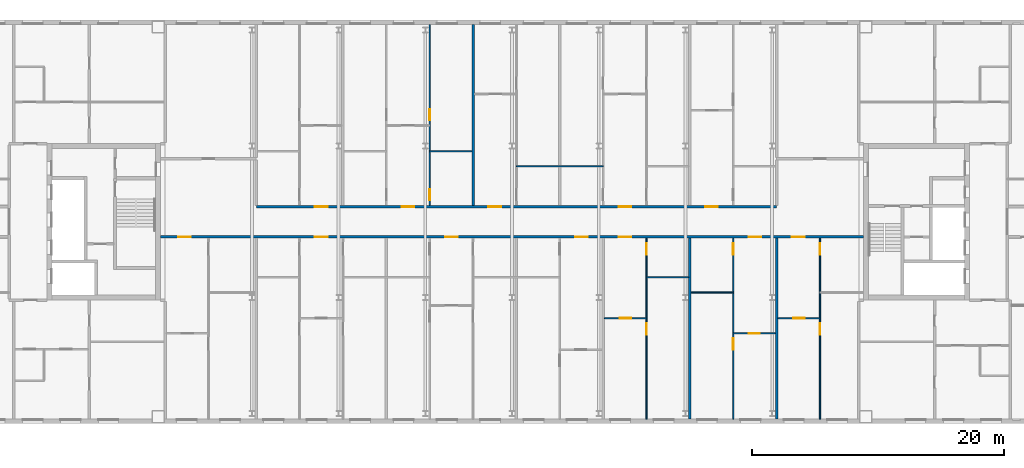
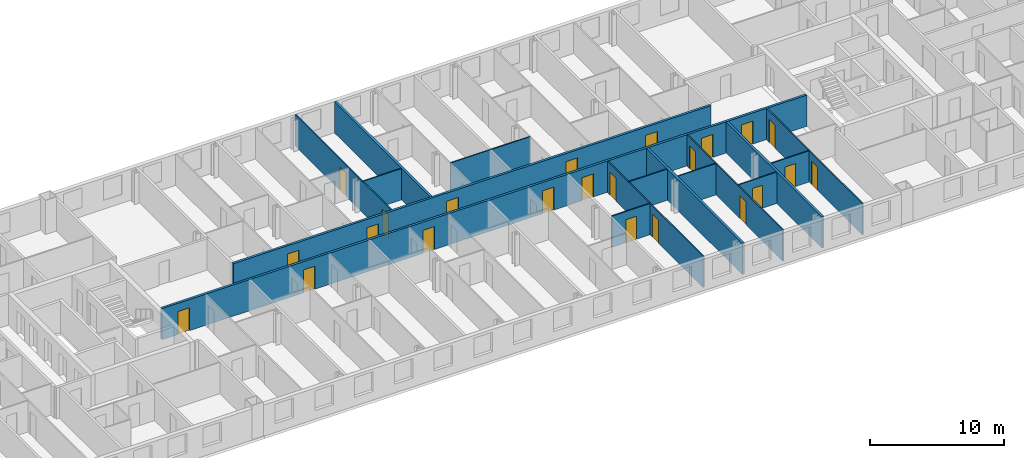
# One storey, part 11 of 19: 23 doors, 16 walls, 23 openings.
"""IFC4 building model written with IfcOpenShell, lengths in metres."""

from ifc_helpers import new_model, si_unit, direction, frame, frame_2d, origin, place, context, subcontext, project, spatial, rectangle, extrude, material, layer, layer_set, type_object, element, fill, save


model = new_model("IFC4")

# Units and contexts
model_context = context("Model", 3, precision=1e-05, world=origin(), true_north=direction((0.0, 1.0)))
body_context = subcontext(model_context, "Body", "Model", "MODEL_VIEW")
ifc_project = project(units=[si_unit("LENGTHUNIT", "METRE"), si_unit("AREAUNIT", "SQUARE_METRE"), si_unit("VOLUMEUNIT", "CUBIC_METRE"), si_unit("PLANEANGLEUNIT", "RADIAN"), si_unit("MASSUNIT", "GRAM", prefix="KILO")], contexts=[model_context])

# Site, building, storey
site_placement = place(None, origin())
site = spatial("IfcSite", under=ifc_project, at=site_placement, CompositionType="ELEMENT")
building_placement = place(site_placement, origin())
building = spatial("IfcBuilding", under=site, at=building_placement, Name="Tuart Gate Housing", CompositionType="ELEMENT")
storey_placement = place(building_placement, frame((0.0, 0.0, 224.5)))
storey = spatial("IfcBuildingStorey", under=building, at=storey_placement, Name="L63", CompositionType="ELEMENT", Elevation=224.5)

# Wall, openings, doors
ifc_material_1 = material(Name="Concrete masonry 15 MPa", Category="masonry")
ifc_layer_1 = layer(ifc_material_1, 0.199951171875)
ifc_layer_set_1 = layer_set([ifc_layer_1], Name="Corridor wall masonry 200")
wall_type_1 = type_object("IfcWallType", Name="Corridor wall masonry 200", PredefinedType="PARTITIONING", material=ifc_layer_set_1)
wall_1_placement = place(storey_placement, frame((75.639892578125, 68.800048828125, 0.0), z_axis=(0.0, 0.0, 1.0), x_axis=(1.0, 0.0, 0.0)))
wall_1 = element("IfcWall", 1, at=wall_1_placement, inside=storey, type_object=wall_type_1, Name="Corridor wall masonry 200", PredefinedType="PARTITIONING", context=body_context, shape_type="SweptSolid", body=[
    extrude(rectangle(XDim=55.72021484375, YDim=0.199951171875, at=frame_2d((27.860107421875, 0.0))), origin(), (0.0, 0.0, 1.0), 2.85009765625),
])
opening_1_placement = place(wall_1_placement, frame((1.39892578125, 0.0, 0.0)))
opening_1 = element("IfcOpeningElement", 2, at=opening_1_placement, cuts=wall_1, Name="Opening D2359", PredefinedType="OPENING", context=body_context, shape_type="SweptSolid", body=[
    extrude(rectangle(XDim=1.0, YDim=2.10009765625, at=frame_2d((0.5, 1.050048828125))), frame((0.0, 0.10986328125, 0.0), z_axis=(0.0, -1.0, 0.0), x_axis=(1.0, 0.0, 0.0)), (0.0, 0.0, 1.0), 0.219970703125),
])
opening_2_placement = place(wall_1_placement, frame((12.240966796875, 0.0, 0.0)))
opening_2 = element("IfcOpeningElement", 3, at=opening_2_placement, cuts=wall_1, Name="Opening D2360", PredefinedType="OPENING", context=body_context, shape_type="SweptSolid", body=[
    extrude(rectangle(XDim=1.0, YDim=2.10009765625, at=frame_2d((0.5, 1.050048828125))), frame((0.0, 0.10986328125, 0.0), z_axis=(0.0, -1.0, 0.0), x_axis=(1.0, 0.0, 0.0)), (0.0, 0.0, 1.0), 0.219970703125),
])
opening_3_placement = place(wall_1_placement, frame((22.553466796875, 0.0, 0.0)))
opening_3 = element("IfcOpeningElement", 4, at=opening_3_placement, cuts=wall_1, Name="Opening D2361", PredefinedType="OPENING", context=body_context, shape_type="SweptSolid", body=[
    extrude(rectangle(XDim=1.0, YDim=2.10009765625, at=frame_2d((0.5, 1.050048828125))), frame((0.0, 0.10986328125, 0.0), z_axis=(0.0, -1.0, 0.0), x_axis=(1.0, 0.0, 0.0)), (0.0, 0.0, 1.0), 0.219970703125),
])
opening_4_placement = place(wall_1_placement, frame((32.865966796875, 0.0, 0.0)))
opening_4 = element("IfcOpeningElement", 5, at=opening_4_placement, cuts=wall_1, Name="Opening D2362", PredefinedType="OPENING", context=body_context, shape_type="SweptSolid", body=[
    extrude(rectangle(XDim=1.0, YDim=2.10009765625, at=frame_2d((0.5, 1.050048828125))), frame((0.0, 0.10986328125, 0.0), z_axis=(0.0, -1.0, 0.0), x_axis=(1.0, 0.0, 0.0)), (0.0, 0.0, 1.0), 0.219970703125),
])
opening_5_placement = place(wall_1_placement, frame((36.303466796875, 0.0, 0.0)))
opening_5 = element("IfcOpeningElement", 6, at=opening_5_placement, cuts=wall_1, Name="Opening D2363", PredefinedType="OPENING", context=body_context, shape_type="SweptSolid", body=[
    extrude(rectangle(XDim=1.0, YDim=2.10009765625, at=frame_2d((0.5, 1.050048828125))), frame((0.0, 0.10986328125, 0.0), z_axis=(0.0, -1.0, 0.0), x_axis=(1.0, 0.0, 0.0)), (0.0, 0.0, 1.0), 0.219970703125),
])
opening_6_placement = place(wall_1_placement, frame((46.615966796875, 0.0, 0.0)))
opening_6 = element("IfcOpeningElement", 7, at=opening_6_placement, cuts=wall_1, Name="Opening D2364", PredefinedType="OPENING", context=body_context, shape_type="SweptSolid", body=[
    extrude(rectangle(XDim=1.0, YDim=2.10009765625, at=frame_2d((0.5, 1.050048828125))), frame((0.0, 0.10986328125, 0.0), z_axis=(0.0, -1.0, 0.0), x_axis=(1.0, 0.0, 0.0)), (0.0, 0.0, 1.0), 0.219970703125),
])
opening_7_placement = place(wall_1_placement, frame((50.053466796875, 0.0, 0.0)))
opening_7 = element("IfcOpeningElement", 8, at=opening_7_placement, cuts=wall_1, Name="Opening D2365", PredefinedType="OPENING", context=body_context, shape_type="SweptSolid", body=[
    extrude(rectangle(XDim=1.0, YDim=2.10009765625, at=frame_2d((0.5, 1.050048828125))), frame((0.0, 0.10986328125, 0.0), z_axis=(0.0, -1.0, 0.0), x_axis=(1.0, 0.0, 0.0)), (0.0, 0.0, 1.0), 0.219970703125),
])
ifc_material_2 = material(Name="Timber door leaf in steel frame", Category="steel")
door_type_1 = type_object("IfcDoorType", Name="Flat entrance door 1000 RH", OperationType="SINGLE_SWING_RIGHT", PredefinedType="DOOR", material=ifc_material_2)
door_1_placement = place(opening_1_placement, frame((1.0, 0.0, 0.0), z_axis=(0.0, 0.0, 1.0), x_axis=(-1.0, 0.0, 0.0)))
door_1 = element("IfcDoor", 9, at=door_1_placement, inside=storey, type_object=door_type_1, Name="Flat entrance door", OperationType="SINGLE_SWING_RIGHT", OverallHeight=2.10009765625, OverallWidth=1.0, PredefinedType="DOOR", context=body_context, shape_type="SweptSolid", body=[
    extrude(rectangle(XDim=1.0, YDim=2.10009765625, at=frame_2d((0.5, 1.050048828125))), frame((0.0, 0.025146484375, 0.0), z_axis=(0.0, -1.0, 0.0), x_axis=(1.0, 0.0, 0.0)), (0.0, 0.0, 1.0), 0.050048828125),
])
fill(opening_1, door_1)
door_2_placement = place(opening_2_placement, frame((1.0, 0.0, 0.0), z_axis=(0.0, 0.0, 1.0), x_axis=(-1.0, 0.0, 0.0)))
door_2 = element("IfcDoor", 10, at=door_2_placement, inside=storey, type_object=door_type_1, Name="Flat entrance door", OperationType="SINGLE_SWING_RIGHT", OverallHeight=2.10009765625, OverallWidth=1.0, PredefinedType="DOOR", context=body_context, shape_type="SweptSolid", body=[
    extrude(rectangle(XDim=1.0, YDim=2.10009765625, at=frame_2d((0.5, 1.050048828125))), frame((0.0, 0.025146484375, 0.0), z_axis=(0.0, -1.0, 0.0), x_axis=(1.0, 0.0, 0.0)), (0.0, 0.0, 1.0), 0.050048828125),
])
fill(opening_2, door_2)
door_3_placement = place(opening_3_placement, frame((1.0, 0.0, 0.0), z_axis=(0.0, 0.0, 1.0), x_axis=(-1.0, 0.0, 0.0)))
door_3 = element("IfcDoor", 11, at=door_3_placement, inside=storey, type_object=door_type_1, Name="Flat entrance door", OperationType="SINGLE_SWING_RIGHT", OverallHeight=2.10009765625, OverallWidth=1.0, PredefinedType="DOOR", context=body_context, shape_type="SweptSolid", body=[
    extrude(rectangle(XDim=1.0, YDim=2.10009765625, at=frame_2d((0.5, 1.050048828125))), frame((0.0, 0.025146484375, 0.0), z_axis=(0.0, -1.0, 0.0), x_axis=(1.0, 0.0, 0.0)), (0.0, 0.0, 1.0), 0.050048828125),
])
fill(opening_3, door_3)
door_4_placement = place(opening_4_placement, frame((1.0, 0.0, 0.0), z_axis=(0.0, 0.0, 1.0), x_axis=(-1.0, 0.0, 0.0)))
door_4 = element("IfcDoor", 12, at=door_4_placement, inside=storey, type_object=door_type_1, Name="Flat entrance door", OperationType="SINGLE_SWING_RIGHT", OverallHeight=2.10009765625, OverallWidth=1.0, PredefinedType="DOOR", context=body_context, shape_type="SweptSolid", body=[
    extrude(rectangle(XDim=1.0, YDim=2.10009765625, at=frame_2d((0.5, 1.050048828125))), frame((0.0, 0.025146484375, 0.0), z_axis=(0.0, -1.0, 0.0), x_axis=(1.0, 0.0, 0.0)), (0.0, 0.0, 1.0), 0.050048828125),
])
fill(opening_4, door_4)
door_5_placement = place(opening_5_placement, frame((1.0, 0.0, 0.0), z_axis=(0.0, 0.0, 1.0), x_axis=(-1.0, 0.0, 0.0)))
door_5 = element("IfcDoor", 13, at=door_5_placement, inside=storey, type_object=door_type_1, Name="Flat entrance door", OperationType="SINGLE_SWING_RIGHT", OverallHeight=2.10009765625, OverallWidth=1.0, PredefinedType="DOOR", context=body_context, shape_type="SweptSolid", body=[
    extrude(rectangle(XDim=1.0, YDim=2.10009765625, at=frame_2d((0.5, 1.050048828125))), frame((0.0, 0.025146484375, 0.0), z_axis=(0.0, -1.0, 0.0), x_axis=(1.0, 0.0, 0.0)), (0.0, 0.0, 1.0), 0.050048828125),
])
fill(opening_5, door_5)
door_6_placement = place(opening_6_placement, frame((1.0, 0.0, 0.0), z_axis=(0.0, 0.0, 1.0), x_axis=(-1.0, 0.0, 0.0)))
door_6 = element("IfcDoor", 14, at=door_6_placement, inside=storey, type_object=door_type_1, Name="Flat entrance door", OperationType="SINGLE_SWING_RIGHT", OverallHeight=2.10009765625, OverallWidth=1.0, PredefinedType="DOOR", context=body_context, shape_type="SweptSolid", body=[
    extrude(rectangle(XDim=1.0, YDim=2.10009765625, at=frame_2d((0.5, 1.050048828125))), frame((0.0, 0.025146484375, 0.0), z_axis=(0.0, -1.0, 0.0), x_axis=(1.0, 0.0, 0.0)), (0.0, 0.0, 1.0), 0.050048828125),
])
fill(opening_6, door_6)
door_7_placement = place(opening_7_placement, frame((1.0, 0.0, 0.0), z_axis=(0.0, 0.0, 1.0), x_axis=(-1.0, 0.0, 0.0)))
door_7 = element("IfcDoor", 15, at=door_7_placement, inside=storey, type_object=door_type_1, Name="Flat entrance door", OperationType="SINGLE_SWING_RIGHT", OverallHeight=2.10009765625, OverallWidth=1.0, PredefinedType="DOOR", context=body_context, shape_type="SweptSolid", body=[
    extrude(rectangle(XDim=1.0, YDim=2.10009765625, at=frame_2d((0.5, 1.050048828125))), frame((0.0, 0.025146484375, 0.0), z_axis=(0.0, -1.0, 0.0), x_axis=(1.0, 0.0, 0.0)), (0.0, 0.0, 1.0), 0.050048828125),
])
fill(opening_7, door_7)

wall_2_placement = place(storey_placement, frame((83.22509765625, 71.199951171875, 0.0), z_axis=(0.0, 0.0, 1.0), x_axis=(1.0, 0.0, 0.0)))
wall_2 = element("IfcWall", 16, at=wall_2_placement, inside=storey, type_object=wall_type_1, Name="Corridor wall masonry 200", PredefinedType="PARTITIONING", context=body_context, shape_type="SweptSolid", body=[
    extrude(rectangle(XDim=41.25, YDim=0.199951171875, at=frame_2d((20.625, 0.0))), origin(), (0.0, 0.0, 1.0), 2.85009765625),
])
opening_8_placement = place(wall_2_placement, frame((4.656005859375, 0.0, 0.0)))
opening_8 = element("IfcOpeningElement", 17, at=opening_8_placement, cuts=wall_2, Name="Opening D2354", PredefinedType="OPENING", context=body_context, shape_type="SweptSolid", body=[
    extrude(rectangle(XDim=1.0, YDim=2.10009765625, at=frame_2d((0.5, 1.050048828125))), frame((0.0, 0.10986328125, 0.0), z_axis=(0.0, -1.0, 0.0), x_axis=(1.0, 0.0, 0.0)), (0.0, 0.0, 1.0), 0.219970703125),
])
opening_9_placement = place(wall_2_placement, frame((11.531005859375, 0.0, 0.0)))
opening_9 = element("IfcOpeningElement", 18, at=opening_9_placement, cuts=wall_2, Name="Opening D2355", PredefinedType="OPENING", context=body_context, shape_type="SweptSolid", body=[
    extrude(rectangle(XDim=1.0, YDim=2.10009765625, at=frame_2d((0.5, 1.050048828125))), frame((0.0, 0.10986328125, 0.0), z_axis=(0.0, -1.0, 0.0), x_axis=(1.0, 0.0, 0.0)), (0.0, 0.0, 1.0), 0.219970703125),
])
opening_10_placement = place(wall_2_placement, frame((18.406005859375, 0.0, 0.0)))
opening_10 = element("IfcOpeningElement", 19, at=opening_10_placement, cuts=wall_2, Name="Opening D2356", PredefinedType="OPENING", context=body_context, shape_type="SweptSolid", body=[
    extrude(rectangle(XDim=1.0, YDim=2.10009765625, at=frame_2d((0.5, 1.050048828125))), frame((0.0, 0.10986328125, 0.0), z_axis=(0.0, -1.0, 0.0), x_axis=(1.0, 0.0, 0.0)), (0.0, 0.0, 1.0), 0.219970703125),
])
opening_11_placement = place(wall_2_placement, frame((28.718505859375, 0.0, 0.0)))
opening_11 = element("IfcOpeningElement", 20, at=opening_11_placement, cuts=wall_2, Name="Opening D2357", PredefinedType="OPENING", context=body_context, shape_type="SweptSolid", body=[
    extrude(rectangle(XDim=1.0, YDim=2.10009765625, at=frame_2d((0.5, 1.050048828125))), frame((0.0, 0.10986328125, 0.0), z_axis=(0.0, -1.0, 0.0), x_axis=(1.0, 0.0, 0.0)), (0.0, 0.0, 1.0), 0.219970703125),
])
opening_12_placement = place(wall_2_placement, frame((35.593505859375, 0.0, 0.0)))
opening_12 = element("IfcOpeningElement", 21, at=opening_12_placement, cuts=wall_2, Name="Opening D2358", PredefinedType="OPENING", context=body_context, shape_type="SweptSolid", body=[
    extrude(rectangle(XDim=1.0, YDim=2.10009765625, at=frame_2d((0.5, 1.050048828125))), frame((0.0, 0.10986328125, 0.0), z_axis=(0.0, -1.0, 0.0), x_axis=(1.0, 0.0, 0.0)), (0.0, 0.0, 1.0), 0.219970703125),
])
ifc_material_3 = material(Name="Timber door leaf in steel frame", Category="steel")
door_type_2 = type_object("IfcDoorType", Name="Flat entrance door 1000", OperationType="SINGLE_SWING_LEFT", PredefinedType="DOOR", material=ifc_material_3)
door_8_placement = place(opening_8_placement, origin())
door_8 = element("IfcDoor", 22, at=door_8_placement, inside=storey, type_object=door_type_2, Name="Flat entrance door", OperationType="SINGLE_SWING_LEFT", OverallHeight=2.10009765625, OverallWidth=1.0, PredefinedType="DOOR", context=body_context, shape_type="SweptSolid", body=[
    extrude(rectangle(XDim=1.0, YDim=2.10009765625, at=frame_2d((0.5, 1.050048828125))), frame((0.0, 0.02490234375, 0.0), z_axis=(0.0, -1.0, 0.0), x_axis=(1.0, 0.0, 0.0)), (0.0, 0.0, 1.0), 0.050048828125),
])
fill(opening_8, door_8)
door_9_placement = place(opening_9_placement, origin())
door_9 = element("IfcDoor", 23, at=door_9_placement, inside=storey, type_object=door_type_2, Name="Flat entrance door", OperationType="SINGLE_SWING_LEFT", OverallHeight=2.10009765625, OverallWidth=1.0, PredefinedType="DOOR", context=body_context, shape_type="SweptSolid", body=[
    extrude(rectangle(XDim=1.0, YDim=2.10009765625, at=frame_2d((0.5, 1.050048828125))), frame((0.0, 0.02490234375, 0.0), z_axis=(0.0, -1.0, 0.0), x_axis=(1.0, 0.0, 0.0)), (0.0, 0.0, 1.0), 0.050048828125),
])
fill(opening_9, door_9)
door_10_placement = place(opening_10_placement, origin())
door_10 = element("IfcDoor", 24, at=door_10_placement, inside=storey, type_object=door_type_2, Name="Flat entrance door", OperationType="SINGLE_SWING_LEFT", OverallHeight=2.10009765625, OverallWidth=1.0, PredefinedType="DOOR", context=body_context, shape_type="SweptSolid", body=[
    extrude(rectangle(XDim=1.0, YDim=2.10009765625, at=frame_2d((0.5, 1.050048828125))), frame((0.0, 0.02490234375, 0.0), z_axis=(0.0, -1.0, 0.0), x_axis=(1.0, 0.0, 0.0)), (0.0, 0.0, 1.0), 0.050048828125),
])
fill(opening_10, door_10)
door_11_placement = place(opening_11_placement, origin())
door_11 = element("IfcDoor", 25, at=door_11_placement, inside=storey, type_object=door_type_2, Name="Flat entrance door", OperationType="SINGLE_SWING_LEFT", OverallHeight=2.10009765625, OverallWidth=1.0, PredefinedType="DOOR", context=body_context, shape_type="SweptSolid", body=[
    extrude(rectangle(XDim=1.0, YDim=2.10009765625, at=frame_2d((0.5, 1.050048828125))), frame((0.0, 0.02490234375, 0.0), z_axis=(0.0, -1.0, 0.0), x_axis=(1.0, 0.0, 0.0)), (0.0, 0.0, 1.0), 0.050048828125),
])
fill(opening_11, door_11)
door_12_placement = place(opening_12_placement, origin())
door_12 = element("IfcDoor", 26, at=door_12_placement, inside=storey, type_object=door_type_2, Name="Flat entrance door", OperationType="SINGLE_SWING_LEFT", OverallHeight=2.10009765625, OverallWidth=1.0, PredefinedType="DOOR", context=body_context, shape_type="SweptSolid", body=[
    extrude(rectangle(XDim=1.0, YDim=2.10009765625, at=frame_2d((0.5, 1.050048828125))), frame((0.0, 0.02490234375, 0.0), z_axis=(0.0, -1.0, 0.0), x_axis=(1.0, 0.0, 0.0)), (0.0, 0.0, 1.0), 0.050048828125),
])
fill(opening_12, door_12)

# Wall, opening, door
ifc_material_4 = material(Name="Gypsum board on steel studs", Category="steel")
ifc_layer_2 = layer(ifc_material_4, 0.10009765625)
ifc_layer_set_2 = layer_set([ifc_layer_2], Name="Partition 100")
wall_type_2 = type_object("IfcWallType", Name="Partition 100", PredefinedType="PARTITIONING", material=ifc_layer_set_2)
wall_3_placement = place(storey_placement, frame((121.037109375, 61.159912109375, 0.0), z_axis=(0.0, 0.0, 1.0), x_axis=(1.0, 0.0, 0.0)))
wall_3 = element("IfcWall", 27, at=wall_3_placement, inside=storey, type_object=wall_type_2, Name="Partition 100", PredefinedType="PARTITIONING", context=body_context, shape_type="SweptSolid", body=[
    extrude(rectangle(XDim=3.337890625, YDim=0.10009765625, at=frame_2d((1.6689453125, 0.0))), origin(), (0.0, 0.0, 1.0), 2.85009765625),
])
opening_13_placement = place(wall_3_placement, frame((1.218994140625, 0.0, 0.0)))
opening_13 = element("IfcOpeningElement", 28, at=opening_13_placement, cuts=wall_3, Name="Opening D2389", PredefinedType="OPENING", context=body_context, shape_type="SweptSolid", body=[
    extrude(rectangle(XDim=0.89990234375, YDim=2.10009765625, at=frame_2d((0.449951171875, 1.050048828125))), frame((0.0, 0.06005859375, 0.0), z_axis=(0.0, -1.0, 0.0), x_axis=(1.0, 0.0, 0.0)), (0.0, 0.0, 1.0), 0.1201171875),
])
ifc_material_5 = material(Name="Timber door leaf in steel frame", Category="steel")
door_type_3 = type_object("IfcDoorType", Name="Internal door 900", OperationType="SINGLE_SWING_LEFT", PredefinedType="DOOR", material=ifc_material_5)
door_13_placement = place(opening_13_placement, origin())
door_13 = element("IfcDoor", 29, at=door_13_placement, inside=storey, type_object=door_type_3, Name="Internal door", OperationType="SINGLE_SWING_LEFT", OverallHeight=2.10009765625, OverallWidth=0.89990234375, PredefinedType="DOOR", context=body_context, shape_type="SweptSolid", body=[
    extrude(rectangle(XDim=0.89990234375, YDim=2.10009765625, at=frame_2d((0.449951171875, 1.050048828125))), frame((0.0, 0.02490234375, 0.0), z_axis=(0.0, -1.0, 0.0), x_axis=(1.0, 0.0, 0.0)), (0.0, 0.0, 1.0), 0.050048828125),
])
fill(opening_13, door_13)

wall_4_placement = place(storey_placement, frame((110.824951171875, 62.360107421875, 0.0), z_axis=(0.0, 0.0, 1.0), x_axis=(1.0, 0.0, 0.0)))
wall_4 = element("IfcWall", 30, at=wall_4_placement, inside=storey, type_object=wall_type_2, Name="Partition 100", PredefinedType="PARTITIONING", context=body_context, shape_type="SweptSolid", body=[
    extrude(rectangle(XDim=3.337158203125, YDim=0.10009765625, at=frame_2d((1.66845703125, 0.0))), origin(), (0.0, 0.0, 1.0), 2.85009765625),
])
opening_14_placement = place(wall_4_placement, frame((1.218505859375, 0.0, 0.0)))
opening_14 = element("IfcOpeningElement", 31, at=opening_14_placement, cuts=wall_4, Name="Opening D2368", PredefinedType="OPENING", context=body_context, shape_type="SweptSolid", body=[
    extrude(rectangle(XDim=0.89990234375, YDim=2.10009765625, at=frame_2d((0.449951171875, 1.050048828125))), frame((0.0, 0.06005859375, 0.0), z_axis=(0.0, -1.0, 0.0), x_axis=(1.0, 0.0, 0.0)), (0.0, 0.0, 1.0), 0.1201171875),
])
ifc_material_6 = material(Name="Timber door leaf in steel frame", Category="steel")
door_type_4 = type_object("IfcDoorType", Name="Internal door 900 RH", OperationType="SINGLE_SWING_RIGHT", PredefinedType="DOOR", material=ifc_material_6)
door_14_placement = place(opening_14_placement, origin())
door_14 = element("IfcDoor", 32, at=door_14_placement, inside=storey, type_object=door_type_4, Name="Internal door", OperationType="SINGLE_SWING_RIGHT", OverallHeight=2.10009765625, OverallWidth=0.89990234375, PredefinedType="DOOR", context=body_context, shape_type="SweptSolid", body=[
    extrude(rectangle(XDim=0.89990234375, YDim=2.10009765625, at=frame_2d((0.449951171875, 1.050048828125))), frame((0.0, 0.02490234375, 0.0), z_axis=(0.0, -1.0, 0.0), x_axis=(1.0, 0.0, 0.0)), (0.0, 0.0, 1.0), 0.050048828125),
])
fill(opening_14, door_14)

wall_5_placement = place(storey_placement, frame((124.574951171875, 62.360107421875, 0.0), z_axis=(0.0, 0.0, 1.0), x_axis=(1.0, 0.0, 0.0)))
wall_5 = element("IfcWall", 33, at=wall_5_placement, inside=storey, type_object=wall_type_2, Name="Partition 100", PredefinedType="PARTITIONING", context=body_context, shape_type="SweptSolid", body=[
    extrude(rectangle(XDim=3.337158203125, YDim=0.10009765625, at=frame_2d((1.66845703125, 0.0))), origin(), (0.0, 0.0, 1.0), 2.85009765625),
])
opening_15_placement = place(wall_5_placement, frame((1.218505859375, 0.0, 0.0)))
opening_15 = element("IfcOpeningElement", 34, at=opening_15_placement, cuts=wall_5, Name="Opening D2369", PredefinedType="OPENING", context=body_context, shape_type="SweptSolid", body=[
    extrude(rectangle(XDim=0.89990234375, YDim=2.10009765625, at=frame_2d((0.449951171875, 1.050048828125))), frame((0.0, 0.06005859375, 0.0), z_axis=(0.0, -1.0, 0.0), x_axis=(1.0, 0.0, 0.0)), (0.0, 0.0, 1.0), 0.1201171875),
])
door_15_placement = place(opening_15_placement, origin())
door_15 = element("IfcDoor", 35, at=door_15_placement, inside=storey, type_object=door_type_4, Name="Internal door", OperationType="SINGLE_SWING_RIGHT", OverallHeight=2.10009765625, OverallWidth=0.89990234375, PredefinedType="DOOR", context=body_context, shape_type="SweptSolid", body=[
    extrude(rectangle(XDim=0.89990234375, YDim=2.10009765625, at=frame_2d((0.449951171875, 1.050048828125))), frame((0.0, 0.02490234375, 0.0), z_axis=(0.0, -1.0, 0.0), x_axis=(1.0, 0.0, 0.0)), (0.0, 0.0, 1.0), 0.050048828125),
])
fill(opening_15, door_15)

# Walls
wall_6_placement = place(storey_placement, frame((117.699951171875, 64.39990234375, 0.0), z_axis=(0.0, 0.0, 1.0), x_axis=(1.0, 0.0, 0.0)))
element("IfcWall", 36, at=wall_6_placement, inside=storey, type_object=wall_type_2, Name="Partition 100", PredefinedType="PARTITIONING", context=body_context, shape_type="SweptSolid", body=[
    extrude(rectangle(XDim=3.337158203125, YDim=0.10009765625, at=frame_2d((1.66845703125, 0.0))), origin(), (0.0, 0.0, 1.0), 2.85009765625),
])
wall_7_placement = place(storey_placement, frame((114.162109375, 65.60009765625, 0.0), z_axis=(0.0, 0.0, 1.0), x_axis=(1.0, 0.0, 0.0)))
element("IfcWall", 37, at=wall_7_placement, inside=storey, type_object=wall_type_2, Name="Partition 100", PredefinedType="PARTITIONING", context=body_context, shape_type="SweptSolid", body=[
    extrude(rectangle(XDim=3.337890625, YDim=0.10009765625, at=frame_2d((1.6689453125, 0.0))), origin(), (0.0, 0.0, 1.0), 2.85009765625),
])
wall_8_placement = place(storey_placement, frame((103.85009765625, 74.39990234375, 0.0), z_axis=(0.0, 0.0, 1.0), x_axis=(1.0, 0.0, 0.0)))
element("IfcWall", 38, at=wall_8_placement, inside=storey, type_object=wall_type_2, Name="Partition 100", PredefinedType="PARTITIONING", context=body_context, shape_type="SweptSolid", body=[
    extrude(rectangle(XDim=6.875, YDim=0.10009765625, at=frame_2d((3.4375, 0.0))), origin(), (0.0, 0.0, 1.0), 2.85009765625),
])
wall_9_placement = place(storey_placement, frame((96.97509765625, 75.60009765625, 0.0), z_axis=(0.0, 0.0, 1.0), x_axis=(1.0, 0.0, 0.0)))
element("IfcWall", 39, at=wall_9_placement, inside=storey, type_object=wall_type_2, Name="Partition 100", PredefinedType="PARTITIONING", context=body_context, shape_type="SweptSolid", body=[
    extrude(rectangle(XDim=3.3369140625, YDim=0.10009765625, at=frame_2d((1.66845703125, 0.0))), origin(), (0.0, 0.0, 1.0), 2.85009765625),
])

# Wall, openings, doors
wall_10_placement = place(storey_placement, frame((96.97509765625, 71.300048828125, 0.0), z_axis=(0.0, 0.0, 1.0), x_axis=(0.0, 1.0, 0.0)))
wall_10 = element("IfcWall", 40, at=wall_10_placement, inside=storey, type_object=wall_type_2, Name="Partition 100", PredefinedType="PARTITIONING", context=body_context, shape_type="SweptSolid", body=[
    extrude(rectangle(XDim=14.33984375, YDim=0.10009765625, at=frame_2d((7.169921875, 0.0))), origin(), (0.0, 0.0, 1.0), 2.85009765625),
])
opening_16_placement = place(wall_10_placement, frame((6.739990234375, 0.0, 0.0)))
opening_16 = element("IfcOpeningElement", 41, at=opening_16_placement, cuts=wall_10, Name="Opening D2341", PredefinedType="OPENING", context=body_context, shape_type="SweptSolid", body=[
    extrude(rectangle(XDim=0.89990234375, YDim=2.10009765625, at=frame_2d((0.449951171875, 1.050048828125))), frame((0.0, 0.06005859375, 0.0), z_axis=(0.0, -1.0, 0.0), x_axis=(1.0, 0.0, 0.0)), (0.0, 0.0, 1.0), 0.1201171875),
])
opening_17_placement = place(wall_10_placement, frame((0.39990234375, 0.0, 0.0)))
opening_17 = element("IfcOpeningElement", 42, at=opening_17_placement, cuts=wall_10, Name="Opening D2340", PredefinedType="OPENING", context=body_context, shape_type="SweptSolid", body=[
    extrude(rectangle(XDim=0.89990234375, YDim=2.10009765625, at=frame_2d((0.449951171875, 1.050048828125))), frame((0.0, 0.06005859375, 0.0), z_axis=(0.0, -1.0, 0.0), x_axis=(1.0, 0.0, 0.0)), (0.0, 0.0, 1.0), 0.1201171875),
])
ifc_material_7 = material(Name="Timber door leaf in steel frame", Category="steel")
door_type_5 = type_object("IfcDoorType", Name="Bathroom door 900 RH", OperationType="SINGLE_SWING_RIGHT", PredefinedType="DOOR", material=ifc_material_7)
door_16_placement = place(opening_17_placement, frame((0.89990234375, 0.0, 0.0), z_axis=(0.0, 0.0, 1.0), x_axis=(-1.0, 0.0, 0.0)))
door_16 = element("IfcDoor", 43, at=door_16_placement, inside=storey, type_object=door_type_5, Name="Bathroom door", OperationType="SINGLE_SWING_RIGHT", OverallHeight=2.10009765625, OverallWidth=0.89990234375, PredefinedType="DOOR", context=body_context, shape_type="SweptSolid", body=[
    extrude(rectangle(XDim=0.89990234375, YDim=2.10009765625, at=frame_2d((0.449951171875, 1.050048828125))), frame((0.0, 0.025146484375, 0.0), z_axis=(0.0, -1.0, 0.0), x_axis=(1.0, 0.0, 0.0)), (0.0, 0.0, 1.0), 0.050048828125),
])
fill(opening_17, door_16)
door_17_placement = place(opening_16_placement, frame((0.89990234375, 0.0, 0.0), z_axis=(0.0, 0.0, 1.0), x_axis=(-1.0, 0.0, 0.0)))
door_17 = element("IfcDoor", 44, at=door_17_placement, inside=storey, type_object=door_type_4, Name="Internal door", OperationType="SINGLE_SWING_RIGHT", OverallHeight=2.10009765625, OverallWidth=0.89990234375, PredefinedType="DOOR", context=body_context, shape_type="SweptSolid", body=[
    extrude(rectangle(XDim=0.89990234375, YDim=2.10009765625, at=frame_2d((0.449951171875, 1.050048828125))), frame((0.0, 0.025146484375, 0.0), z_axis=(0.0, -1.0, 0.0), x_axis=(1.0, 0.0, 0.0)), (0.0, 0.0, 1.0), 0.050048828125),
])
fill(opening_16, door_17)

wall_11_placement = place(storey_placement, frame((114.162109375, 54.360107421875, 0.0), z_axis=(0.0, 0.0, 1.0), x_axis=(0.0, 1.0, 0.0)))
wall_11 = element("IfcWall", 45, at=wall_11_placement, inside=storey, type_object=wall_type_2, Name="Partition 100", PredefinedType="PARTITIONING", context=body_context, shape_type="SweptSolid", body=[
    extrude(rectangle(XDim=14.33984375, YDim=0.10009765625, at=frame_2d((7.169921875, 0.0))), origin(), (0.0, 0.0, 1.0), 2.85009765625),
])
opening_18_placement = place(wall_11_placement, frame((6.699951171875, 0.0, 0.0)))
opening_18 = element("IfcOpeningElement", 46, at=opening_18_placement, cuts=wall_11, Name="Opening D2383", PredefinedType="OPENING", context=body_context, shape_type="SweptSolid", body=[
    extrude(rectangle(XDim=0.89990234375, YDim=2.10009765625, at=frame_2d((0.449951171875, 1.050048828125))), frame((0.0, 0.06005859375, 0.0), z_axis=(0.0, -1.0, 0.0), x_axis=(1.0, 0.0, 0.0)), (0.0, 0.0, 1.0), 0.1201171875),
])
opening_19_placement = place(wall_11_placement, frame((13.0400390625, 0.0, 0.0)))
opening_19 = element("IfcOpeningElement", 47, at=opening_19_placement, cuts=wall_11, Name="Opening D2382", PredefinedType="OPENING", context=body_context, shape_type="SweptSolid", body=[
    extrude(rectangle(XDim=0.89990234375, YDim=2.10009765625, at=frame_2d((0.449951171875, 1.050048828125))), frame((0.0, 0.06005859375, 0.0), z_axis=(0.0, -1.0, 0.0), x_axis=(1.0, 0.0, 0.0)), (0.0, 0.0, 1.0), 0.1201171875),
])
ifc_material_8 = material(Name="Timber door leaf in steel frame", Category="steel")
door_type_6 = type_object("IfcDoorType", Name="Bathroom door 900", OperationType="SINGLE_SWING_LEFT", PredefinedType="DOOR", material=ifc_material_8)
door_18_placement = place(opening_19_placement, frame((0.89990234375, 0.0, 0.0), z_axis=(0.0, 0.0, 1.0), x_axis=(-1.0, 0.0, 0.0)))
door_18 = element("IfcDoor", 48, at=door_18_placement, inside=storey, type_object=door_type_6, Name="Bathroom door", OperationType="SINGLE_SWING_LEFT", OverallHeight=2.10009765625, OverallWidth=0.89990234375, PredefinedType="DOOR", context=body_context, shape_type="SweptSolid", body=[
    extrude(rectangle(XDim=0.89990234375, YDim=2.10009765625, at=frame_2d((0.449951171875, 1.050048828125))), frame((0.0, 0.025146484375, 0.0), z_axis=(0.0, -1.0, 0.0), x_axis=(1.0, 0.0, 0.0)), (0.0, 0.0, 1.0), 0.050048828125),
])
fill(opening_19, door_18)
door_19_placement = place(opening_18_placement, frame((0.89990234375, 0.0, 0.0), z_axis=(0.0, 0.0, 1.0), x_axis=(-1.0, 0.0, 0.0)))
door_19 = element("IfcDoor", 49, at=door_19_placement, inside=storey, type_object=door_type_3, Name="Internal door", OperationType="SINGLE_SWING_LEFT", OverallHeight=2.10009765625, OverallWidth=0.89990234375, PredefinedType="DOOR", context=body_context, shape_type="SweptSolid", body=[
    extrude(rectangle(XDim=0.89990234375, YDim=2.10009765625, at=frame_2d((0.449951171875, 1.050048828125))), frame((0.0, 0.025146484375, 0.0), z_axis=(0.0, -1.0, 0.0), x_axis=(1.0, 0.0, 0.0)), (0.0, 0.0, 1.0), 0.050048828125),
])
fill(opening_18, door_19)

wall_12_placement = place(storey_placement, frame((121.037109375, 54.360107421875, 0.0), z_axis=(0.0, 0.0, 1.0), x_axis=(0.0, 1.0, 0.0)))
wall_12 = element("IfcWall", 50, at=wall_12_placement, inside=storey, type_object=wall_type_2, Name="Partition 100", PredefinedType="PARTITIONING", context=body_context, shape_type="SweptSolid", body=[
    extrude(rectangle(XDim=14.33984375, YDim=0.10009765625, at=frame_2d((7.169921875, 0.0))), origin(), (0.0, 0.0, 1.0), 2.85009765625),
])
opening_20_placement = place(wall_12_placement, frame((5.5, 0.0, 0.0)))
opening_20 = element("IfcOpeningElement", 51, at=opening_20_placement, cuts=wall_12, Name="Opening D2385", PredefinedType="OPENING", context=body_context, shape_type="SweptSolid", body=[
    extrude(rectangle(XDim=0.89990234375, YDim=2.10009765625, at=frame_2d((0.449951171875, 1.050048828125))), frame((0.0, 0.06005859375, 0.0), z_axis=(0.0, -1.0, 0.0), x_axis=(1.0, 0.0, 0.0)), (0.0, 0.0, 1.0), 0.1201171875),
])
opening_21_placement = place(wall_12_placement, frame((13.0400390625, 0.0, 0.0)))
opening_21 = element("IfcOpeningElement", 52, at=opening_21_placement, cuts=wall_12, Name="Opening D2384", PredefinedType="OPENING", context=body_context, shape_type="SweptSolid", body=[
    extrude(rectangle(XDim=0.89990234375, YDim=2.10009765625, at=frame_2d((0.449951171875, 1.050048828125))), frame((0.0, 0.06005859375, 0.0), z_axis=(0.0, -1.0, 0.0), x_axis=(1.0, 0.0, 0.0)), (0.0, 0.0, 1.0), 0.1201171875),
])
door_20_placement = place(opening_21_placement, origin())
door_20 = element("IfcDoor", 53, at=door_20_placement, inside=storey, type_object=door_type_5, Name="Bathroom door", OperationType="SINGLE_SWING_RIGHT", OverallHeight=2.10009765625, OverallWidth=0.89990234375, PredefinedType="DOOR", context=body_context, shape_type="SweptSolid", body=[
    extrude(rectangle(XDim=0.89990234375, YDim=2.10009765625, at=frame_2d((0.449951171875, 1.050048828125))), frame((0.0, 0.02490234375, 0.0), z_axis=(0.0, -1.0, 0.0), x_axis=(1.0, 0.0, 0.0)), (0.0, 0.0, 1.0), 0.050048828125),
])
fill(opening_21, door_20)
door_21_placement = place(opening_20_placement, origin())
door_21 = element("IfcDoor", 54, at=door_21_placement, inside=storey, type_object=door_type_4, Name="Internal door", OperationType="SINGLE_SWING_RIGHT", OverallHeight=2.10009765625, OverallWidth=0.89990234375, PredefinedType="DOOR", context=body_context, shape_type="SweptSolid", body=[
    extrude(rectangle(XDim=0.89990234375, YDim=2.10009765625, at=frame_2d((0.449951171875, 1.050048828125))), frame((0.0, 0.02490234375, 0.0), z_axis=(0.0, -1.0, 0.0), x_axis=(1.0, 0.0, 0.0)), (0.0, 0.0, 1.0), 0.050048828125),
])
fill(opening_20, door_21)

wall_13_placement = place(storey_placement, frame((127.912109375, 54.360107421875, 0.0), z_axis=(0.0, 0.0, 1.0), x_axis=(0.0, 1.0, 0.0)))
wall_13 = element("IfcWall", 55, at=wall_13_placement, inside=storey, type_object=wall_type_2, Name="Partition 100", PredefinedType="PARTITIONING", context=body_context, shape_type="SweptSolid", body=[
    extrude(rectangle(XDim=14.33984375, YDim=0.10009765625, at=frame_2d((7.169921875, 0.0))), origin(), (0.0, 0.0, 1.0), 2.85009765625),
])
opening_22_placement = place(wall_13_placement, frame((6.699951171875, 0.0, 0.0)))
opening_22 = element("IfcOpeningElement", 56, at=opening_22_placement, cuts=wall_13, Name="Opening D2387", PredefinedType="OPENING", context=body_context, shape_type="SweptSolid", body=[
    extrude(rectangle(XDim=0.89990234375, YDim=2.10009765625, at=frame_2d((0.449951171875, 1.050048828125))), frame((0.0, 0.06005859375, 0.0), z_axis=(0.0, -1.0, 0.0), x_axis=(1.0, 0.0, 0.0)), (0.0, 0.0, 1.0), 0.1201171875),
])
opening_23_placement = place(wall_13_placement, frame((13.0400390625, 0.0, 0.0)))
opening_23 = element("IfcOpeningElement", 57, at=opening_23_placement, cuts=wall_13, Name="Opening D2386", PredefinedType="OPENING", context=body_context, shape_type="SweptSolid", body=[
    extrude(rectangle(XDim=0.89990234375, YDim=2.10009765625, at=frame_2d((0.449951171875, 1.050048828125))), frame((0.0, 0.06005859375, 0.0), z_axis=(0.0, -1.0, 0.0), x_axis=(1.0, 0.0, 0.0)), (0.0, 0.0, 1.0), 0.1201171875),
])
door_22_placement = place(opening_23_placement, frame((0.89990234375, 0.0, 0.0), z_axis=(0.0, 0.0, 1.0), x_axis=(-1.0, 0.0, 0.0)))
door_22 = element("IfcDoor", 58, at=door_22_placement, inside=storey, type_object=door_type_6, Name="Bathroom door", OperationType="SINGLE_SWING_LEFT", OverallHeight=2.10009765625, OverallWidth=0.89990234375, PredefinedType="DOOR", context=body_context, shape_type="SweptSolid", body=[
    extrude(rectangle(XDim=0.89990234375, YDim=2.10009765625, at=frame_2d((0.449951171875, 1.050048828125))), frame((0.0, 0.025146484375, 0.0), z_axis=(0.0, -1.0, 0.0), x_axis=(1.0, 0.0, 0.0)), (0.0, 0.0, 1.0), 0.050048828125),
])
fill(opening_23, door_22)
door_23_placement = place(opening_22_placement, frame((0.89990234375, 0.0, 0.0), z_axis=(0.0, 0.0, 1.0), x_axis=(-1.0, 0.0, 0.0)))
door_23 = element("IfcDoor", 59, at=door_23_placement, inside=storey, type_object=door_type_3, Name="Internal door", OperationType="SINGLE_SWING_LEFT", OverallHeight=2.10009765625, OverallWidth=0.89990234375, PredefinedType="DOOR", context=body_context, shape_type="SweptSolid", body=[
    extrude(rectangle(XDim=0.89990234375, YDim=2.10009765625, at=frame_2d((0.449951171875, 1.050048828125))), frame((0.0, 0.025146484375, 0.0), z_axis=(0.0, -1.0, 0.0), x_axis=(1.0, 0.0, 0.0)), (0.0, 0.0, 1.0), 0.050048828125),
])
fill(opening_22, door_23)

# Walls
ifc_material_9 = material(Name="Concrete masonry 15 MPa", Category="masonry")
ifc_layer_3 = layer(ifc_material_9, 0.199951171875)
ifc_layer_set_3 = layer_set([ifc_layer_3], Name="Party wall masonry 200")
wall_type_3 = type_object("IfcWallType", Name="Party wall masonry 200", PredefinedType="PARTITIONING", material=ifc_layer_set_3)
for number, where, z_axis, x_axis, name in (
    (60, (100.412109375, 71.300048828125, 0.0), (0.0, 0.0, 1.0), (0.0, 1.0, 0.0), "Party wall masonry 200"),
    (61, (117.60009765625, 54.360107421875, 0.0), (0.0, 0.0, 1.0), (0.0, 1.0, 0.0), "Party wall masonry 200"),
    (62, (124.47509765625, 54.360107421875, 0.0), (0.0, 0.0, 1.0), (0.0, 1.0, 0.0), "Party wall masonry 200"),
):
    element("IfcWall", number, at=place(storey_placement, frame(where, z_axis=z_axis, x_axis=x_axis)), inside=storey, type_object=wall_type_3, Name=name, PredefinedType="PARTITIONING", context=body_context, shape_type="SweptSolid", body=[
        extrude(rectangle(XDim=14.33984375, YDim=0.199951171875, at=frame_2d((7.169921875, 0.0))), origin(), (0.0, 0.0, 1.0), 2.85009765625),
    ])

save(model, "model.ifc")
